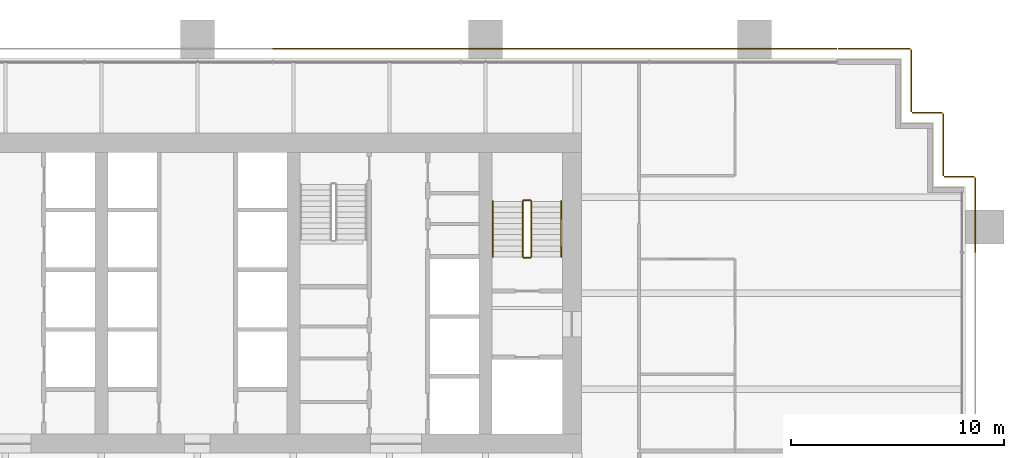
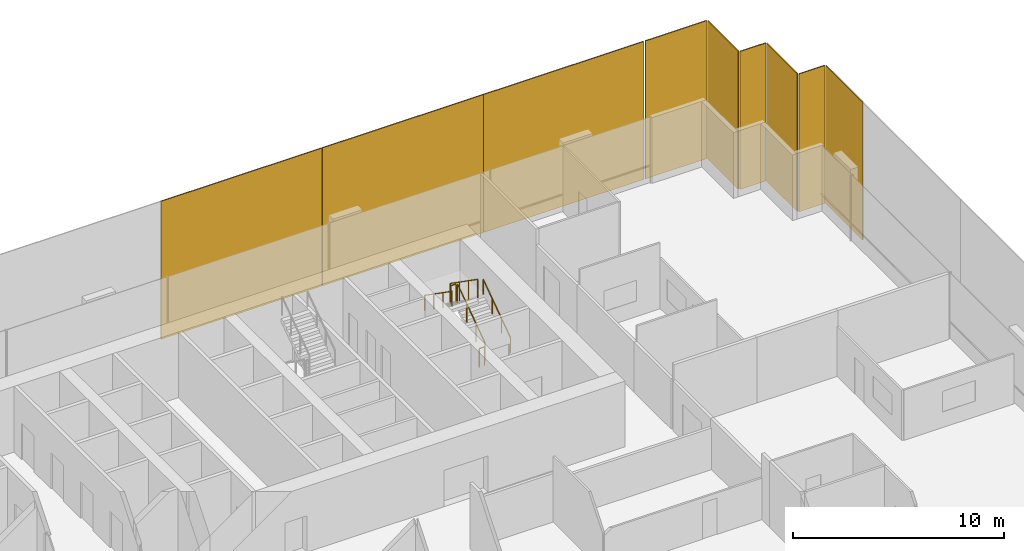
# One storey, part 19 of 19: 9 coverings, 6 railings.
"""IFC4 building model written with IfcOpenShell, lengths in metres."""

import ifcopenshell
import ifcopenshell.guid

model = None  # the IFC model being written
_history = None  # IfcOwnerHistory: only IFC2X3 demands one
_inside = {}  # id of a spatial element -> (the spatial element, [elements in it])
_under = {}  # id of a project, library or spatial element -> (it, [spatial elements below it])
_declared = {}  # id of a project -> (the project, [libraries it declares])
_typed = {}  # id of a type object -> (the type object, [elements of that type])
_made_of = {}  # id of a material, layer set ... -> (it, [elements and type objects made of it])


def new_model(schema):
    """Start an empty IFC model of exactly this schema.

    Asked for "IFC4X3", IfcOpenShell would pick the latest addendum, in which some entities
    have other attributes; the version numbers below select the first issue.
    IFC2X3 requires an IfcOwnerHistory on every rooted entity: one is made here for all.
    """
    global model, _history
    if schema == "IFC4X3":
        model = ifcopenshell.file(schema_version=(4, 3, 0, 0))
    else:
        model = ifcopenshell.file(schema=schema)
    _inside.clear()
    _under.clear()
    _declared.clear()
    _typed.clear()
    _made_of.clear()
    _history = None
    if model.schema == "IFC2X3":
        org = make("IfcOrganization", Name="unknown")
        user = make(
            "IfcPersonAndOrganization",
            ThePerson=make("IfcPerson", FamilyName="unknown"),
            TheOrganization=org,
        )
        app = make(
            "IfcApplication",
            ApplicationDeveloper=org,
            Version="unknown",
            ApplicationFullName="unknown",
            ApplicationIdentifier="unknown",
        )
        _history = make(
            "IfcOwnerHistory",
            OwningUser=user,
            OwningApplication=app,
            ChangeAction="ADDED",
            CreationDate=0,
        )
    return model


def make(cls, **values):
    """One entity of the class cls with the attributes given. An attribute that is None is left unset."""
    return model.create_entity(
        cls, **{name: value for name, value in values.items() if value is not None}
    )


def rooted(cls, **values):
    """An entity with a GlobalId (a new one), such as an element, a storey or a relation."""
    return make(cls, GlobalId=ifcopenshell.guid.new(), OwnerHistory=_history, **values)


def si_unit(unit_type, name, prefix=None):
    """IfcSIUnit, for example si_unit("LENGTHUNIT", "METRE", prefix="MILLI")."""
    return make("IfcSIUnit", UnitType=unit_type, Prefix=prefix, Name=name)


def assignment(units):
    """IfcUnitAssignment: the units of a project."""
    return None if units is None else make("IfcUnitAssignment", Units=units)


def point(xyz):
    """IfcCartesianPoint."""
    return None if xyz is None else make("IfcCartesianPoint", Coordinates=xyz)


def direction(xyz):
    """IfcDirection."""
    return None if xyz is None else make("IfcDirection", DirectionRatios=xyz)


def frame(location, z_axis=None, x_axis=None):
    """IfcAxis2Placement3D, a coordinate frame: its origin and axes. An axis left out is left unset."""
    return make(
        "IfcAxis2Placement3D",
        Location=point(location),
        Axis=direction(z_axis),
        RefDirection=direction(x_axis),
    )


def frame_2d(location, x_axis=None):
    """IfcAxis2Placement2D, a coordinate frame in the plane: its origin and x axis."""
    return make(
        "IfcAxis2Placement2D", Location=point(location), RefDirection=direction(x_axis)
    )


def origin():
    """The frame at (0, 0, 0) with its axes left unset."""
    return frame((0.0, 0.0, 0.0))


def origin_2d():
    """The frame at (0, 0) in the plane with its x axis left unset."""
    return frame_2d((0.0, 0.0))


def place(relative_to, where):
    """IfcLocalPlacement: puts the frame where relative to a parent placement (None: the world)."""
    return make(
        "IfcLocalPlacement", PlacementRelTo=relative_to, RelativePlacement=where
    )


def context(
    kind, dimensions, precision=None, world=None, true_north=None, identifier=None
):
    """IfcGeometricRepresentationContext, for example the 3D "Model" context."""
    return make(
        "IfcGeometricRepresentationContext",
        ContextIdentifier=identifier,
        ContextType=kind,
        CoordinateSpaceDimension=dimensions,
        Precision=precision,
        WorldCoordinateSystem=world,
        TrueNorth=true_north,
    )


def subcontext(parent, identifier, kind, view, scale=None):
    """IfcGeometricRepresentationSubContext, for example "Body" below "Model"."""
    return make(
        "IfcGeometricRepresentationSubContext",
        ContextIdentifier=identifier,
        ContextType=kind,
        ParentContext=parent,
        TargetScale=scale,
        TargetView=view,
    )


def project(units=None, contexts=None):
    """IfcProject with its units and contexts."""
    return rooted(
        "IfcProject",
        Name="project",
        RepresentationContexts=contexts,
        UnitsInContext=assignment(units),
    )


def spatial(cls, under=None, at=None, **own):
    """A site, building, storey or space (cls), placed at a placement, below another one or the project."""
    s = rooted(cls, ObjectPlacement=at, **own)
    if under is not None:
        _under.setdefault(under.id(), (under, []))[1].append(s)
    return s


def profile(cls, at=None, kind="AREA", **sizes):
    """A parametric profile (cls). Its sizes go by their IFC names, for example OverallWidth=200.0."""
    return make(cls, ProfileType=kind, Position=at, **sizes)


def rectangle(**sizes):
    """IfcRectangleProfileDef."""
    return profile("IfcRectangleProfileDef", **sizes)


def extrude(swept, where, along, depth):
    """IfcExtrudedAreaSolid: the profile swept, set in the frame where, extruded along a direction by depth."""
    return make(
        "IfcExtrudedAreaSolid",
        SweptArea=swept,
        Position=where,
        ExtrudedDirection=direction(along),
        Depth=depth,
    )


def shape(context_of_items, identifier, shape_type, items):
    """IfcShapeRepresentation: the items that make up one representation, for example the "Body"."""
    return make(
        "IfcShapeRepresentation",
        ContextOfItems=context_of_items,
        RepresentationIdentifier=identifier,
        RepresentationType=shape_type,
        Items=items,
    )


def material(Name=None, Category=None):
    """IfcMaterial."""
    return make("IfcMaterial", Name=Name, Category=Category)


def layer(
    of_material, thickness, ventilated=None, Name=None, Category=None, Priority=None
):
    """IfcMaterialLayer: one layer of a wall or slab, of a material (None: an air gap)."""
    return make(
        "IfcMaterialLayer",
        Material=of_material,
        LayerThickness=thickness,
        IsVentilated=ventilated,
        Name=Name,
        Category=Category,
        Priority=Priority,
    )


def layer_set(layers, Name=None):
    """IfcMaterialLayerSet."""
    return make("IfcMaterialLayerSet", MaterialLayers=layers, LayerSetName=Name)


def made_of(thing, what):
    """Note that an element or type object is made of a material, layer set ...; save() writes the relation."""
    if what is not None:
        _made_of.setdefault(what.id(), (what, []))[1].append(thing)
    return thing


def type_object(cls, material=None, **own):
    """A type object (cls), such as IfcWallType, which elements share."""
    return made_of(rooted(cls, **own), material)


def element(
    cls,
    number,
    at=None,
    inside=None,
    cuts=None,
    type_object=None,
    material=None,
    context=None,
    identifier="Body",
    shape_type=None,
    held_by="IfcProductDefinitionShape",
    body=None,
    shapes=None,
    **own,
):
    """One element of the class cls, such as IfcWall. Its Tag is "e" and its number.

    at: its placement. inside: the storey or other place that contains it. cuts: it is an
    opening in that element (IfcRelVoidsElement). A single representation is given by context,
    identifier, shape_type and body (its items); several are given by shapes. held_by: the class
    of the entity that holds the representations. save() writes the other relations.
    """
    e = rooted(cls, Tag="e%d" % number, ObjectPlacement=at, **own)
    if body is not None:
        shapes = [shape(context, identifier, shape_type, body)]
    if shapes is not None:
        e.Representation = make(held_by, Representations=shapes)
    if inside is not None:
        _inside.setdefault(inside.id(), (inside, []))[1].append(e)
    if cuts is not None:
        rooted(
            "IfcRelVoidsElement", RelatingBuildingElement=cuts, RelatedOpeningElement=e
        )
    if type_object is not None:
        _typed.setdefault(type_object.id(), (type_object, []))[1].append(e)
    return made_of(e, material)


def aggregate(whole, parts):
    """IfcRelAggregates: a whole, such as a stair, and the parts it consists of."""
    return rooted("IfcRelAggregates", RelatingObject=whole, RelatedObjects=parts)


def save(model, path):
    """Write the relations noted so far, then the file.

    IfcRelAggregates (storeys below a building ...), IfcRelContainedInSpatialStructure (elements
    in a storey), IfcRelDefinesByType, IfcRelAssociatesMaterial and IfcRelDeclares: one each for
    every whole, place, type object, material and project.
    """
    for whole, parts in _under.values():
        aggregate(whole, parts)
    for where, things in _inside.values():
        rooted(
            "IfcRelContainedInSpatialStructure",
            RelatedElements=things,
            RelatingStructure=where,
        )
    for kind, things in _typed.values():
        rooted("IfcRelDefinesByType", RelatedObjects=things, RelatingType=kind)
    for what, things in _made_of.values():
        rooted("IfcRelAssociatesMaterial", RelatedObjects=things, RelatingMaterial=what)
    for by, libraries in _declared.values():
        rooted("IfcRelDeclares", RelatingContext=by, RelatedDefinitions=libraries)
    model.write(path)


model = new_model("IFC4")

# Units and contexts
model_context = context("Model", 3, precision=1e-05, world=origin(), true_north=direction((0.0, 1.0)))
body_context = subcontext(model_context, "Body", "Model", "MODEL_VIEW")
ifc_project = project(units=[si_unit("LENGTHUNIT", "METRE"), si_unit("AREAUNIT", "SQUARE_METRE"), si_unit("VOLUMEUNIT", "CUBIC_METRE"), si_unit("PLANEANGLEUNIT", "RADIAN"), si_unit("MASSUNIT", "GRAM", prefix="KILO")], contexts=[model_context])

# Site, building, storey
site_placement = place(None, origin())
site = spatial("IfcSite", under=ifc_project, at=site_placement, CompositionType="ELEMENT")
building_placement = place(site_placement, origin())
building = spatial("IfcBuilding", under=site, at=building_placement, Name="Rattan Terrace Tower", CompositionType="ELEMENT")
storey_placement = place(building_placement, frame((0.0, 0.0, 91.699951171875)))
storey = spatial("IfcBuildingStorey", under=building, at=storey_placement, Name="L20", CompositionType="ELEMENT", Elevation=91.699951171875)

# Railings
ifc_material_1 = material(Name="Powder-coated steel guard", Category="steel")
railing_type_1 = type_object("IfcRailingType", Name="Core stair guard", PredefinedType="GUARDRAIL", material=ifc_material_1)
railing_1_placement = place(storey_placement, frame((15.64990234375, 1.699951171875, 0.181884765625)))
element("IfcRailing", 1, at=railing_1_placement, inside=storey, type_object=railing_type_1, Name="L20 S2 stair guard 1", PredefinedType="GUARDRAIL", context=body_context, shape_type="SweptSolid", body=[
    extrude(rectangle(XDim=0.048095703125, YDim=0.048095703125, at=origin_2d()), frame((0.0, 0.0, 1.076171875), z_axis=(0.0, 0.819521025635, 0.573049115296), x_axis=(-1.0, 0.0, 0.0)), (0.0, 0.0, 1.0), 3.172607421875),
    extrude(rectangle(XDim=0.0419921875, YDim=0.0419921875, at=origin_2d()), origin(), (0.0, 0.0, 1.0), 1.052001953125),
    extrude(rectangle(XDim=0.0419921875, YDim=0.0419921875, at=origin_2d()), frame((0.0, 0.86669921875, 0.60595703125)), (0.0, 0.0, 1.0), 1.052001953125),
    extrude(rectangle(XDim=0.0419921875, YDim=0.0419921875, at=origin_2d()), frame((0.0, 1.7333984375, 1.212158203125)), (0.0, 0.0, 1.0), 1.052001953125),
    extrude(rectangle(XDim=0.0419921875, YDim=0.0419921875, at=origin_2d()), frame((0.0, 2.60009765625, 1.818115234375)), (0.0, 0.0, 1.0), 1.052001953125),
])
railing_2_placement = place(storey_placement, frame((15.60009765625, 4.35009765625, 2.0)))
element("IfcRailing", 2, at=railing_2_placement, inside=storey, type_object=railing_type_1, Name="L20 S2 stair guard 2", PredefinedType="GUARDRAIL", context=body_context, shape_type="SweptSolid", body=[
    extrude(rectangle(XDim=0.048095703125, YDim=0.048095703125, at=origin_2d()), frame((0.0, 0.0, 1.076171875), z_axis=(-1.0, 0.0, 0.0), x_axis=(0.0, -1.0, 0.0)), (0.0, 0.0, 1.0), 0.300048828125),
    extrude(rectangle(XDim=0.0419921875, YDim=0.0419921875, at=origin_2d()), origin(), (0.0, 0.0, 1.0), 1.052001953125),
    extrude(rectangle(XDim=0.0419921875, YDim=0.0419921875, at=origin_2d()), frame((-0.300048828125, 0.0, 0.0)), (0.0, 0.0, 1.0), 1.052001953125),
])
railing_3_placement = place(storey_placement, frame((15.25, 4.300048828125, 2.181884765625)))
element("IfcRailing", 3, at=railing_3_placement, inside=storey, type_object=railing_type_1, Name="L20 S2 stair guard 3", PredefinedType="GUARDRAIL", context=body_context, shape_type="SweptSolid", body=[
    extrude(rectangle(XDim=0.048095703125, YDim=0.048095703125, at=origin_2d()), frame((0.0, 0.0, 1.076171875), z_axis=(0.0, -0.819521025635, 0.573049115296), x_axis=(1.0, 0.0, 0.0)), (0.0, 0.0, 1.0), 3.172607421875),
    extrude(rectangle(XDim=0.0419921875, YDim=0.0419921875, at=origin_2d()), origin(), (0.0, 0.0, 1.0), 1.052001953125),
    extrude(rectangle(XDim=0.0419921875, YDim=0.0419921875, at=origin_2d()), frame((0.0, -0.86669921875, 0.60595703125)), (0.0, 0.0, 1.0), 1.052001953125),
    extrude(rectangle(XDim=0.0419921875, YDim=0.0419921875, at=origin_2d()), frame((0.0, -1.7333984375, 1.212158203125)), (0.0, 0.0, 1.0), 1.052001953125),
    extrude(rectangle(XDim=0.0419921875, YDim=0.0419921875, at=origin_2d()), frame((0.0, -2.60009765625, 1.818115234375)), (0.0, 0.0, 1.0), 1.052001953125),
])
railing_4_placement = place(storey_placement, frame((15.60009765625, 1.64990234375, 0.0)))
element("IfcRailing", 4, at=railing_4_placement, inside=storey, type_object=railing_type_1, Name="L20 S2 stair guard 4", PredefinedType="GUARDRAIL", context=body_context, shape_type="SweptSolid", body=[
    extrude(rectangle(XDim=0.048095703125, YDim=0.048095703125, at=origin_2d()), frame((0.0, 0.0, 1.076171875), z_axis=(-1.0, 0.0, 0.0), x_axis=(0.0, -1.0, 0.0)), (0.0, 0.0, 1.0), 0.300048828125),
    extrude(rectangle(XDim=0.0419921875, YDim=0.0419921875, at=origin_2d()), origin(), (0.0, 0.0, 1.0), 1.052001953125),
    extrude(rectangle(XDim=0.0419921875, YDim=0.0419921875, at=origin_2d()), frame((-0.300048828125, 0.0, 0.0)), (0.0, 0.0, 1.0), 1.052001953125),
])
ifc_material_2 = material(Name="Powder-coated steel handrail", Category="steel")
railing_type_2 = type_object("IfcRailingType", Name="Core stair handrail", PredefinedType="HANDRAIL", material=ifc_material_2)
railing_5_placement = place(storey_placement, frame((17.050048828125, 1.699951171875, 0.181884765625)))
element("IfcRailing", 5, at=railing_5_placement, inside=storey, type_object=railing_type_2, Name="L20 S2 stair handrail 1", PredefinedType="HANDRAIL", context=body_context, shape_type="SweptSolid", body=[
    extrude(rectangle(XDim=0.048095703125, YDim=0.048095703125, at=origin_2d()), frame((0.0, 0.0, 0.8759765625), z_axis=(0.0, 0.819521025635, 0.573049115296), x_axis=(-1.0, 0.0, 0.0)), (0.0, 0.0, 1.0), 3.172607421875),
    extrude(rectangle(XDim=0.0419921875, YDim=0.0419921875, at=origin_2d()), origin(), (0.0, 0.0, 1.0), 0.851806640625),
    extrude(rectangle(XDim=0.0419921875, YDim=0.0419921875, at=origin_2d()), frame((0.0, 0.86669921875, 0.60595703125)), (0.0, 0.0, 1.0), 0.851806640625),
    extrude(rectangle(XDim=0.0419921875, YDim=0.0419921875, at=origin_2d()), frame((0.0, 1.7333984375, 1.212158203125)), (0.0, 0.0, 1.0), 0.851806640625),
    extrude(rectangle(XDim=0.0419921875, YDim=0.0419921875, at=origin_2d()), frame((0.0, 2.60009765625, 1.818115234375)), (0.0, 0.0, 1.0), 0.851806640625),
])
railing_6_placement = place(storey_placement, frame((13.85009765625, 4.300048828125, 2.181884765625)))
element("IfcRailing", 6, at=railing_6_placement, inside=storey, type_object=railing_type_2, Name="L20 S2 stair handrail 2", PredefinedType="HANDRAIL", context=body_context, shape_type="SweptSolid", body=[
    extrude(rectangle(XDim=0.048095703125, YDim=0.048095703125, at=origin_2d()), frame((0.0, 0.0, 0.8759765625), z_axis=(0.0, -0.819521025635, 0.573049115296), x_axis=(1.0, 0.0, 0.0)), (0.0, 0.0, 1.0), 3.172607421875),
    extrude(rectangle(XDim=0.0419921875, YDim=0.0419921875, at=origin_2d()), origin(), (0.0, 0.0, 1.0), 0.851806640625),
    extrude(rectangle(XDim=0.0419921875, YDim=0.0419921875, at=origin_2d()), frame((0.0, -0.86669921875, 0.60595703125)), (0.0, 0.0, 1.0), 0.851806640625),
    extrude(rectangle(XDim=0.0419921875, YDim=0.0419921875, at=origin_2d()), frame((0.0, -1.7333984375, 1.212158203125)), (0.0, 0.0, 1.0), 0.851806640625),
    extrude(rectangle(XDim=0.0419921875, YDim=0.0419921875, at=origin_2d()), frame((0.0, -2.60009765625, 1.818115234375)), (0.0, 0.0, 1.0), 0.851806640625),
])

# Coverings
ifc_material_3 = material(Name="Perforated terracotta", Category="masonry")
ifc_layer = layer(ifc_material_3, 0.06005859375)
ifc_layer_set = layer_set([ifc_layer], Name="Facade Terracotta Screen Panel")
covering_type = type_object("IfcCoveringType", Name="Facade Terracotta Screen Panel", PredefinedType="CLADDING", material=ifc_layer_set)
covering_1_placement = place(storey_placement, frame((36.449951171875, 3.659912109375, -0.18994140625), z_axis=(0.0, 0.0, 1.0), x_axis=(0.0, 1.0, 0.0)))
element("IfcCovering", 7, at=covering_1_placement, inside=storey, type_object=covering_type, Name="OUTER SKIN panel L20-9", PredefinedType="CLADDING", context=body_context, shape_type="SweptSolid", body=[
    extrude(rectangle(XDim=3.5, YDim=0.06005859375, at=origin_2d()), origin(), (0.0, 0.0, 1.0), 7.97998046875),
])
covering_2_placement = place(storey_placement, frame((35.699951171875, 5.449951171875, -0.18994140625), z_axis=(0.0, 0.0, 1.0), x_axis=(-1.0, 0.0, 0.0)))
element("IfcCovering", 8, at=covering_2_placement, inside=storey, type_object=covering_type, Name="OUTER SKIN panel L20-10", PredefinedType="CLADDING", context=body_context, shape_type="SweptSolid", body=[
    extrude(rectangle(XDim=1.419921875, YDim=0.06005859375, at=origin_2d()), origin(), (0.0, 0.0, 1.0), 7.97998046875),
])
covering_3_placement = place(storey_placement, frame((34.949951171875, 6.949951171875, -0.18994140625), z_axis=(0.0, 0.0, 1.0), x_axis=(0.0, 1.0, 0.0)))
element("IfcCovering", 9, at=covering_3_placement, inside=storey, type_object=covering_type, Name="OUTER SKIN panel L20-11", PredefinedType="CLADDING", context=body_context, shape_type="SweptSolid", body=[
    extrude(rectangle(XDim=2.919921875, YDim=0.06005859375, at=origin_2d()), origin(), (0.0, 0.0, 1.0), 7.97998046875),
])
covering_4_placement = place(storey_placement, frame((34.199951171875, 8.449951171875, -0.18994140625), z_axis=(0.0, 0.0, 1.0), x_axis=(-1.0, 0.0, 0.0)))
element("IfcCovering", 10, at=covering_4_placement, inside=storey, type_object=covering_type, Name="OUTER SKIN panel L20-12", PredefinedType="CLADDING", context=body_context, shape_type="SweptSolid", body=[
    extrude(rectangle(XDim=1.419921875, YDim=0.06005859375, at=origin_2d()), origin(), (0.0, 0.0, 1.0), 7.97998046875),
])
covering_5_placement = place(storey_placement, frame((33.449951171875, 9.949951171875, -0.18994140625), z_axis=(0.0, 0.0, 1.0), x_axis=(0.0, 1.0, 0.0)))
element("IfcCovering", 11, at=covering_5_placement, inside=storey, type_object=covering_type, Name="OUTER SKIN panel L20-13", PredefinedType="CLADDING", context=body_context, shape_type="SweptSolid", body=[
    extrude(rectangle(XDim=2.919921875, YDim=0.06005859375, at=origin_2d()), origin(), (0.0, 0.0, 1.0), 7.97998046875),
])
covering_6_placement = place(storey_placement, frame((31.72509765625, 11.449951171875, -0.18994140625), z_axis=(0.0, 0.0, 1.0), x_axis=(-1.0, 0.0, 0.0)))
element("IfcCovering", 12, at=covering_6_placement, inside=storey, type_object=covering_type, Name="OUTER SKIN panel L20-14", PredefinedType="CLADDING", context=body_context, shape_type="SweptSolid", body=[
    extrude(rectangle(XDim=3.3701171875, YDim=0.06005859375, at=origin_2d()), origin(), (0.0, 0.0, 1.0), 7.97998046875),
])
covering_7_placement = place(storey_placement, frame((25.573486328125, 11.449951171875, -0.18994140625), z_axis=(0.0, 0.0, 1.0), x_axis=(-1.0, 0.0, 0.0)))
element("IfcCovering", 13, at=covering_7_placement, inside=storey, type_object=covering_type, Name="OUTER SKIN panel L20-15", PredefinedType="CLADDING", context=body_context, shape_type="SweptSolid", body=[
    extrude(rectangle(XDim=8.77294921875, YDim=0.06005859375, at=origin_2d()), origin(), (0.0, 0.0, 1.0), 7.97998046875),
])
for number, where, z_axis, x_axis, name in (
    (14, (16.765380859375, 11.449951171875, -0.18994140625), (0.0, 0.0, 1.0), (-1.0, 0.0, 0.0), "OUTER SKIN panel L20-16"),
    (15, (7.9423828125, 11.449951171875, -0.18994140625), (0.0, 0.0, 1.0), (-1.0, 0.0, 0.0), "OUTER SKIN panel L20-17"),
):
    element("IfcCovering", number, at=place(storey_placement, frame(where, z_axis=z_axis, x_axis=x_axis)), inside=storey, type_object=covering_type, Name=name, PredefinedType="CLADDING", context=body_context, shape_type="SweptSolid", body=[
        extrude(rectangle(XDim=8.802978515625, YDim=0.06005859375, at=origin_2d()), origin(), (0.0, 0.0, 1.0), 7.97998046875),
    ])

save(model, "model.ifc")
